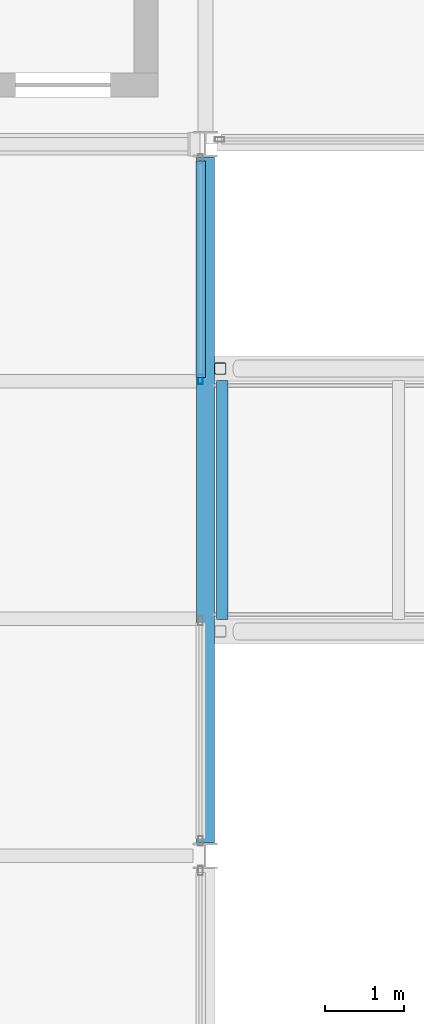
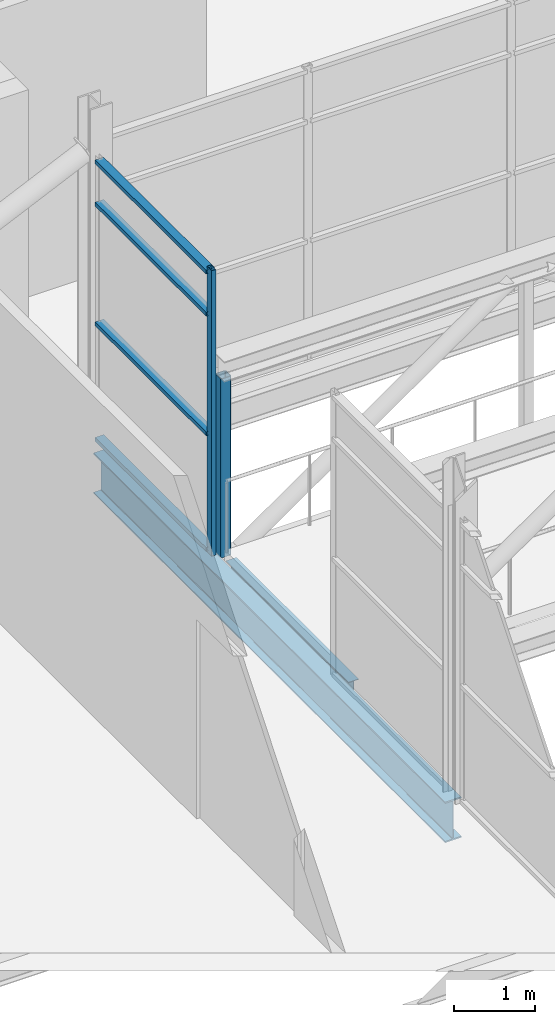
# One storey, part 47 of 115: 6 members, 2 beams, 1 element without a shape of its own.
"""IFC4 building model written with IfcOpenShell, lengths in metres."""

from ifc_helpers import new_model, si_unit, direction, frame, origin, origin_2d, place, context, subcontext, project, spatial, hollow_rectangle, i_section, extrude, material, layer, layer_set, material_profile, profile_set, type_object, element, aggregate, save


model = new_model("IFC4")

# Units and contexts
model_context = context("Model", 3, precision=1e-05, world=origin(), true_north=direction((0.0, 1.0)))
body_context = subcontext(model_context, "Body", "Model", "MODEL_VIEW")
ifc_project = project(units=[si_unit("LENGTHUNIT", "METRE"), si_unit("AREAUNIT", "SQUARE_METRE"), si_unit("VOLUMEUNIT", "CUBIC_METRE"), si_unit("PLANEANGLEUNIT", "RADIAN"), si_unit("MASSUNIT", "GRAM", prefix="KILO")], contexts=[model_context])

# Site, building, storey
site_placement = place(None, origin())
site = spatial("IfcSite", under=ifc_project, at=site_placement, CompositionType="ELEMENT")
building_placement = place(site_placement, origin())
building = spatial("IfcBuilding", under=site, at=building_placement, Name="Shorebreak Coast Museum", CompositionType="ELEMENT")
storey_placement = place(building_placement, frame((0.0, 0.0, 11.0)))
storey = spatial("IfcBuildingStorey", under=building, at=storey_placement, Name="L02", CompositionType="ELEMENT", Elevation=11.0)

# Beam
ifc_material_1 = material(Name="Steel Grade 300", Category="steel")
ifc_material_profile_1 = material_profile(ifc_material_1, i_section(OverallWidth=0.14892578125, OverallDepth=0.298095703125, WebThickness=0.005615234375, FlangeThickness=0.008056640625, FilletRadius=0.012939453125, at=origin_2d()), Name="310UB32.0")
ifc_profile_set_1 = profile_set([ifc_material_profile_1], Name="Steel Grade 300")
beam_type_1 = type_object("IfcBeamType", Name="Atrium bridge cross beam 310UB32.0", PredefinedType="BEAM", material=ifc_profile_set_1)
beam_1_placement = place(storey_placement, frame((63.214599609375, 74.989990234375, -0.323974609375), z_axis=(0.0, 1.0, 0.0), x_axis=(-1.0, 0.0, 0.0)))
element("IfcBeam", 1, at=beam_1_placement, inside=storey, type_object=beam_type_1, Name="Atrium bridge cross beam BR1 01", PredefinedType="BEAM", context=body_context, shape_type="SweptSolid", body=[
    extrude(i_section(OverallWidth=0.14892578125, OverallDepth=0.298095703125, WebThickness=0.005615234375, FlangeThickness=0.008056640625, FilletRadius=0.012939453125, at=origin_2d()), origin(), (0.0, 0.0, 1.0), 3.02001953125),
])

# Member
ifc_material_2 = material(Name="Steel Grade C450L0", Category="steel")
ifc_material_profile_2 = material_profile(ifc_material_2, hollow_rectangle(XDim=0.14990234375, YDim=0.14990234375, WallThickness=0.009033203125, InnerFilletRadius=0.013427734375, OuterFilletRadius=0.0224609375, at=origin_2d()), Name="150x150x9.0 SHS")
ifc_profile_set_2 = profile_set([ifc_material_profile_2], Name="Steel Grade C450L0")
member_type_1 = type_object("IfcMemberType", Name="Atrium bridge truss strut 150x150x9.0 SHS", PredefinedType="STRUT", material=ifc_profile_set_2)
member_1_placement = place(storey_placement, frame((63.189453125, 78.16259765625, -0.175048828125), z_axis=(0.0, 0.0, 1.0), x_axis=(1.0, 0.0, 0.0)))
element("IfcMember", 2, at=member_1_placement, inside=storey, type_object=member_type_1, Name="Atrium bridge truss BR1 side B strut V01", PredefinedType="STRUT", context=body_context, shape_type="SweptSolid", body=[
    extrude(hollow_rectangle(XDim=0.14990234375, YDim=0.14990234375, WallThickness=0.009033203125, InnerFilletRadius=0.013427734375, OuterFilletRadius=0.0224609375, at=origin_2d()), origin(), (0.0, 0.0, 1.0), 2.692138671875),
])

# Beam
ifc_material_3 = material(Name="Steel Grade 300", Category="steel")
ifc_material_profile_3 = material_profile(ifc_material_3, i_section(OverallWidth=0.22900390625, OverallDepth=0.612060546875, WebThickness=0.011962890625, FlangeThickness=0.01953125, FilletRadius=0.013916015625, at=origin_2d()), Name="610UB125")
ifc_profile_set_3 = profile_set([ifc_material_profile_3], Name="Steel Grade 300")
beam_type_2 = type_object("IfcBeamType", Name="Bearing girder north-south 610UB125", PredefinedType="BEAM", material=ifc_profile_set_3)
beam_2_placement = place(storey_placement, frame((63.0, 72.16357421875, -0.48095703125), z_axis=(0.0, 1.0, 0.0), x_axis=(-1.0, 0.0, 0.0)))
element("IfcBeam", 3, at=beam_2_placement, inside=storey, type_object=beam_type_2, Name="Bearing girder north-south L02 8J", PredefinedType="BEAM", context=body_context, shape_type="SweptSolid", body=[
    extrude(i_section(OverallWidth=0.22900390625, OverallDepth=0.612060546875, WebThickness=0.011962890625, FlangeThickness=0.01953125, FilletRadius=0.013916015625, at=origin_2d()), origin(), (0.0, 0.0, 1.0), 8.6728515625),
])

# Curtain wall, members
ifc_material_4 = material(Name="Aluminium", Category="aluminium")
ifc_layer = layer(ifc_material_4, 0.1201171875)
ifc_layer_set = layer_set([ifc_layer], Name="Aluminium")
curtain_wall_type = type_object("IfcCurtainWallType", Name="Atrium fire screen", PredefinedType="NOTDEFINED", material=ifc_layer_set)
curtain_wall_placement = place(storey_placement, origin())
curtain_wall = element("IfcCurtainWall", 4, at=curtain_wall_placement, inside=storey, type_object=curtain_wall_type, Name="Atrium screen L02 W 29", PredefinedType="NOTDEFINED")
ifc_material_5 = material(Name="Aluminium", Category="aluminium")
ifc_material_profile_4 = material_profile(ifc_material_5, hollow_rectangle(XDim=0.06005859375, YDim=0.1201171875, WallThickness=0.00341796875, at=origin_2d()), Name="AL 120x60 RHS")
ifc_profile_set_4 = profile_set([ifc_material_profile_4], Name="Aluminium")
member_type_2 = type_object("IfcMemberType", Name="Screen mullion 50 x 120", PredefinedType="MULLION", material=ifc_profile_set_4)
member_2_placement = place(storey_placement, frame((62.93994140625, 78.02490234375, 0.0), z_axis=(0.0, 0.0, 1.0), x_axis=(-1.0, 0.0, 0.0)))
member_2 = element("IfcMember", 5, at=member_2_placement, type_object=member_type_2, Name="CW6 mullion 1", PredefinedType="MULLION", context=body_context, shape_type="SweptSolid", body=[
    extrude(hollow_rectangle(XDim=0.06005859375, YDim=0.1201171875, WallThickness=0.00341796875, at=origin_2d()), origin(), (0.0, 0.0, 1.0), 4.296875),
])
ifc_material_6 = material(Name="Aluminium", Category="aluminium")
ifc_material_profile_5 = material_profile(ifc_material_6, hollow_rectangle(XDim=0.1201171875, YDim=0.06005859375, WallThickness=0.00341796875, at=origin_2d()), Name="AL 60x120 RHS")
ifc_profile_set_5 = profile_set([ifc_material_profile_5], Name="Aluminium")
member_type_3 = type_object("IfcMemberType", Name="Screen transom 120 x 50", PredefinedType="USERDEFINED", material=ifc_profile_set_5)
member_3_placement = place(storey_placement, frame((62.93994140625, 78.050048828125, 0.06005859375), z_axis=(0.0, 1.0, 0.0), x_axis=(-1.0, 0.0, 0.0)))
member_3 = element("IfcMember", 6, at=member_3_placement, type_object=member_type_3, Name="CW6 transom 1.1", ObjectType="TRANSOM", PredefinedType="USERDEFINED", context=body_context, shape_type="SweptSolid", body=[
    extrude(hollow_rectangle(XDim=0.1201171875, YDim=0.06005859375, WallThickness=0.00341796875, at=origin_2d()), origin(), (0.0, 0.0, 1.0), 2.736328125),
])
member_4_placement = place(storey_placement, frame((62.93994140625, 78.050048828125, 1.800048828125), z_axis=(0.0, 1.0, 0.0), x_axis=(-1.0, 0.0, 0.0)))
member_4 = element("IfcMember", 7, at=member_4_placement, type_object=member_type_3, Name="CW6 transom 1.2", ObjectType="TRANSOM", PredefinedType="USERDEFINED", context=body_context, shape_type="SweptSolid", body=[
    extrude(hollow_rectangle(XDim=0.1201171875, YDim=0.06005859375, WallThickness=0.00341796875, at=origin_2d()), origin(), (0.0, 0.0, 1.0), 2.736328125),
])
member_5_placement = place(storey_placement, frame((62.93994140625, 78.050048828125, 3.60009765625), z_axis=(0.0, 1.0, 0.0), x_axis=(-1.0, 0.0, 0.0)))
member_5 = element("IfcMember", 8, at=member_5_placement, type_object=member_type_3, Name="CW6 transom 1.3", ObjectType="TRANSOM", PredefinedType="USERDEFINED", context=body_context, shape_type="SweptSolid", body=[
    extrude(hollow_rectangle(XDim=0.1201171875, YDim=0.06005859375, WallThickness=0.00341796875, at=origin_2d()), origin(), (0.0, 0.0, 1.0), 2.736328125),
])
member_6_placement = place(storey_placement, frame((62.93994140625, 78.050048828125, 4.23681640625), z_axis=(0.0, 1.0, 0.0), x_axis=(-1.0, 0.0, 0.0)))
member_6 = element("IfcMember", 9, at=member_6_placement, type_object=member_type_3, Name="CW6 transom 1.4", ObjectType="TRANSOM", PredefinedType="USERDEFINED", context=body_context, shape_type="SweptSolid", body=[
    extrude(hollow_rectangle(XDim=0.1201171875, YDim=0.06005859375, WallThickness=0.00341796875, at=origin_2d()), origin(), (0.0, 0.0, 1.0), 2.736328125),
])
aggregate(curtain_wall, [member_2, member_3, member_4, member_5, member_6])

save(model, "model.ifc")
